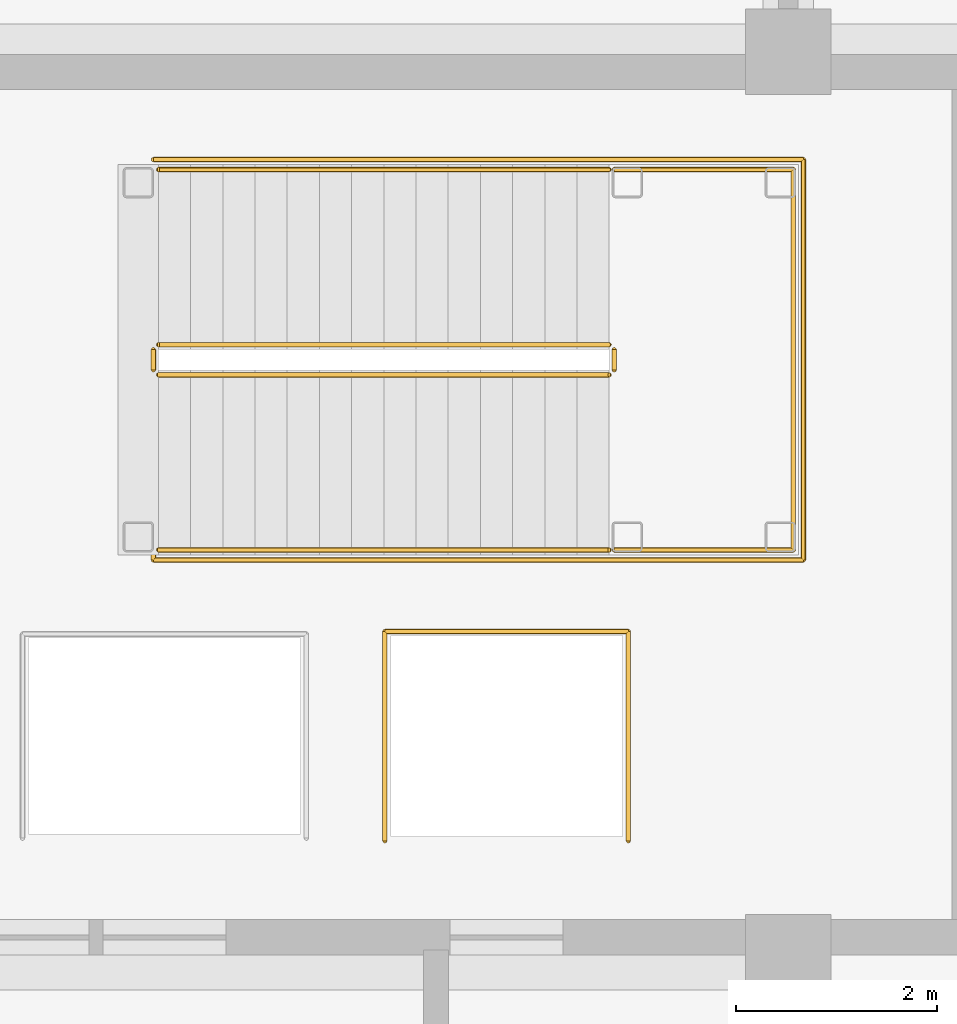
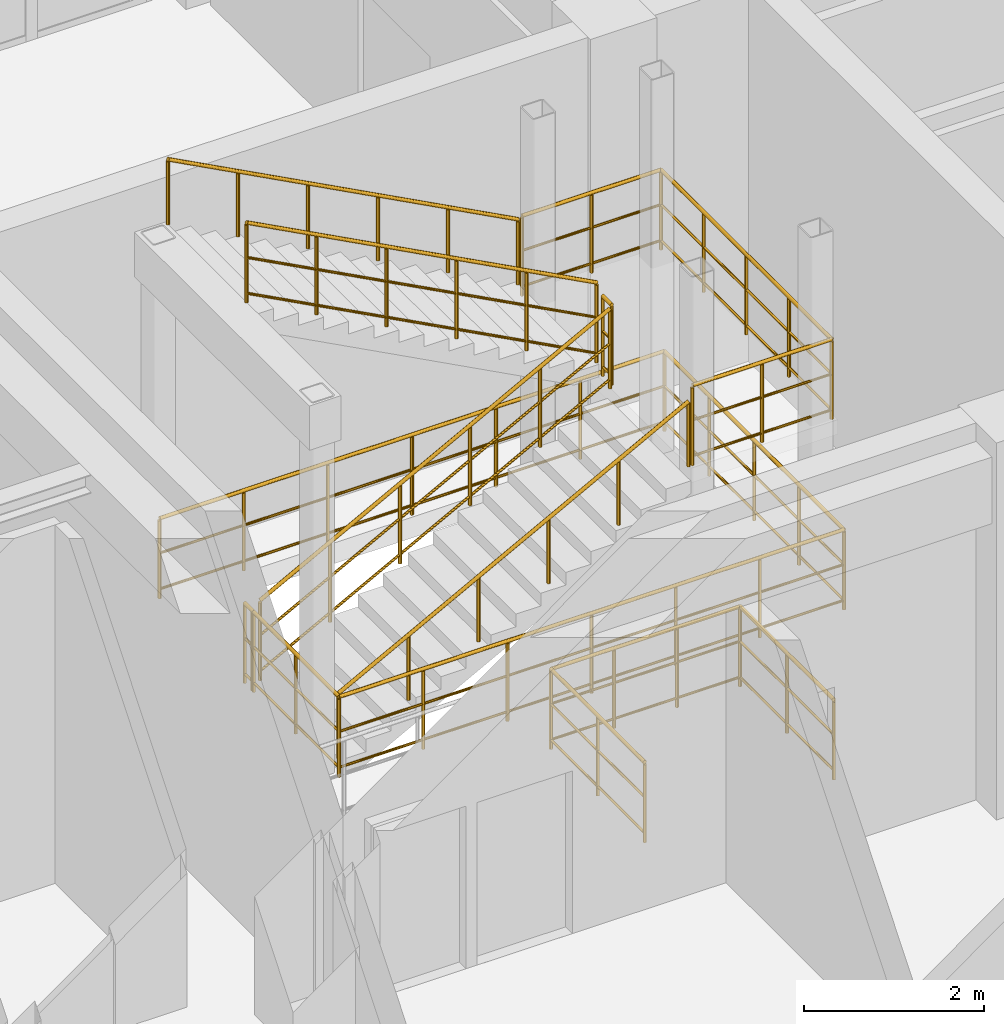
# One storey, part 123 of 128: 9 railings.
"""IFC4 building model written with IfcOpenShell, lengths in metres."""

from ifc_helpers import new_model, si_unit, direction, frame, origin, origin_2d, place, context, subcontext, project, spatial, circle, extrude, material, type_object, element, save


model = new_model("IFC4")

# Units and contexts
model_context = context("Model", 3, precision=1e-05, world=origin(), true_north=direction((0.0, 1.0)))
body_context = subcontext(model_context, "Body", "Model", "MODEL_VIEW")
ifc_project = project(units=[si_unit("LENGTHUNIT", "METRE"), si_unit("AREAUNIT", "SQUARE_METRE"), si_unit("VOLUMEUNIT", "CUBIC_METRE"), si_unit("PLANEANGLEUNIT", "RADIAN"), si_unit("MASSUNIT", "GRAM", prefix="KILO")], contexts=[model_context])

# Site, building, storey
site_placement = place(None, origin())
site = spatial("IfcSite", under=ifc_project, at=site_placement, CompositionType="ELEMENT")
building_placement = place(site_placement, origin())
building = spatial("IfcBuilding", under=site, at=building_placement, Name="Miravela Opera House", CompositionType="ELEMENT")
storey_placement = place(building_placement, origin())
storey = spatial("IfcBuildingStorey", under=building, at=storey_placement, Name="L00", CompositionType="ELEMENT", Elevation=0.0)

# Railings
ifc_material_1 = material(Name="Brushed bronze continuous stair handrail")
railing_type_1 = type_object("IfcRailingType", Name="ARC-RAIL-HAND-900", PredefinedType="HANDRAIL", material=ifc_material_1)
railing_1_placement = place(storey_placement, frame((47.739990234375, 70.050048828125, 0.169921875)))
element("IfcRailing", 1, at=railing_1_placement, inside=storey, type_object=railing_type_1, Name="L00 ST-01 stair handrail 1", PredefinedType="HANDRAIL", context=body_context, shape_type="SweptSolid", body=[
    extrude(circle(Radius=0.02392578125, at=origin_2d()), frame((0.0, 0.0, 0.8759765625), z_axis=(0.883104503341, 0.0, 0.469176338042), x_axis=(0.0, 1.0, 0.0)), (0.0, 0.0, 1.0), 5.072998046875),
    extrude(circle(Radius=0.02099609375, at=origin_2d()), origin(), (0.0, 0.0, 1.0), 0.851806640625),
    extrude(circle(Radius=0.02099609375, at=origin_2d()), frame((0.89599609375, 0.0, 0.47607421875)), (0.0, 0.0, 1.0), 0.851806640625),
    extrude(circle(Radius=0.02099609375, at=origin_2d()), frame((1.7919921875, 0.0, 0.9521484375)), (0.0, 0.0, 1.0), 0.851806640625),
    extrude(circle(Radius=0.02099609375, at=origin_2d()), frame((2.68798828125, 0.0, 1.427978515625)), (0.0, 0.0, 1.0), 0.851806640625),
    extrude(circle(Radius=0.02099609375, at=origin_2d()), frame((3.583984375, 0.0, 1.904052734375)), (0.0, 0.0, 1.0), 0.851806640625),
    extrude(circle(Radius=0.02099609375, at=origin_2d()), frame((4.47998046875, 0.0, 2.380126953125)), (0.0, 0.0, 1.0), 0.851806640625),
])
railing_2_placement = place(storey_placement, frame((52.219970703125, 73.830078125, 2.719970703125)))
element("IfcRailing", 2, at=railing_2_placement, inside=storey, type_object=railing_type_1, Name="L00 ST-01 stair handrail 2", PredefinedType="HANDRAIL", context=body_context, shape_type="SweptSolid", body=[
    extrude(circle(Radius=0.02392578125, at=origin_2d()), frame((0.0, 0.0, 0.8759765625), z_axis=(-0.883104503341, 0.0, 0.469176338042), x_axis=(0.0, -1.0, 0.0)), (0.0, 0.0, 1.0), 5.072998046875),
    extrude(circle(Radius=0.02099609375, at=origin_2d()), origin(), (0.0, 0.0, 1.0), 0.851806640625),
    extrude(circle(Radius=0.02099609375, at=origin_2d()), frame((-0.89599609375, 0.0, 0.47607421875)), (0.0, 0.0, 1.0), 0.851806640625),
    extrude(circle(Radius=0.02099609375, at=origin_2d()), frame((-1.7919921875, 0.0, 0.9521484375)), (0.0, 0.0, 1.0), 0.851806640625),
    extrude(circle(Radius=0.02099609375, at=origin_2d()), frame((-2.68798828125, 0.0, 1.427978515625)), (0.0, 0.0, 1.0), 0.851806640625),
    extrude(circle(Radius=0.02099609375, at=origin_2d()), frame((-3.583984375, 0.0, 1.904052734375)), (0.0, 0.0, 1.0), 0.851806640625),
    extrude(circle(Radius=0.02099609375, at=origin_2d()), frame((-4.47998046875, 0.0, 2.380126953125)), (0.0, 0.0, 1.0), 0.851806640625),
])
ifc_material_2 = material(Name="Painted wrought-iron stair guardrail")
railing_type_2 = type_object("IfcRailingType", Name="ARC-RAIL-STAIR-GUARD", PredefinedType="GUARDRAIL", material=ifc_material_2)
railing_3_placement = place(storey_placement, frame((47.739990234375, 71.7900390625, 0.169921875)))
element("IfcRailing", 3, at=railing_3_placement, inside=storey, type_object=railing_type_2, Name="L00 ST-01 stair guard 1", PredefinedType="GUARDRAIL", context=body_context, shape_type="SweptSolid", body=[
    extrude(circle(Radius=0.02392578125, at=origin_2d()), frame((0.0, 0.0, 1.076171875), z_axis=(0.883104503341, 0.0, 0.469176338042), x_axis=(0.0, 1.0, 0.0)), (0.0, 0.0, 1.0), 5.072998046875),
    extrude(circle(Radius=0.01611328125, at=origin_2d()), frame((0.0, 0.0, 0.60498046875), z_axis=(0.883104503341, 0.0, 0.469176338042), x_axis=(0.0, 1.0, 0.0)), (0.0, 0.0, 1.0), 5.072998046875),
    extrude(circle(Radius=0.01611328125, at=origin_2d()), frame((0.0, 0.0, 0.1201171875), z_axis=(0.883104503341, 0.0, 0.469176338042), x_axis=(0.0, 1.0, 0.0)), (0.0, 0.0, 1.0), 5.072998046875),
    extrude(circle(Radius=0.02099609375, at=origin_2d()), origin(), (0.0, 0.0, 1.0), 1.052001953125),
    extrude(circle(Radius=0.02099609375, at=origin_2d()), frame((0.89599609375, 0.0, 0.47607421875)), (0.0, 0.0, 1.0), 1.052001953125),
    extrude(circle(Radius=0.02099609375, at=origin_2d()), frame((1.7919921875, 0.0, 0.9521484375)), (0.0, 0.0, 1.0), 1.052001953125),
    extrude(circle(Radius=0.02099609375, at=origin_2d()), frame((2.68798828125, 0.0, 1.427978515625)), (0.0, 0.0, 1.0), 1.052001953125),
    extrude(circle(Radius=0.02099609375, at=origin_2d()), frame((3.583984375, 0.0, 1.904052734375)), (0.0, 0.0, 1.0), 1.052001953125),
    extrude(circle(Radius=0.02099609375, at=origin_2d()), frame((4.47998046875, 0.0, 2.380126953125)), (0.0, 0.0, 1.0), 1.052001953125),
])
railing_4_placement = place(storey_placement, frame((52.27001953125, 71.840087890625, 2.550048828125)))
element("IfcRailing", 4, at=railing_4_placement, inside=storey, type_object=railing_type_2, Name="L00 ST-01 stair guard 2", PredefinedType="GUARDRAIL", context=body_context, shape_type="SweptSolid", body=[
    extrude(circle(Radius=0.02392578125, at=origin_2d()), frame((0.0, 0.0, 1.076171875), z_axis=(0.0, 1.0, 0.0), x_axis=(-1.0, 0.0, 0.0)), (0.0, 0.0, 1.0), 0.199951171875),
    extrude(circle(Radius=0.01611328125, at=origin_2d()), frame((0.0, 0.0, 0.60498046875), z_axis=(0.0, 1.0, 0.0), x_axis=(-1.0, 0.0, 0.0)), (0.0, 0.0, 1.0), 0.199951171875),
    extrude(circle(Radius=0.01611328125, at=origin_2d()), frame((0.0, 0.0, 0.1201171875), z_axis=(0.0, 1.0, 0.0), x_axis=(-1.0, 0.0, 0.0)), (0.0, 0.0, 1.0), 0.199951171875),
    extrude(circle(Radius=0.02099609375, at=origin_2d()), origin(), (0.0, 0.0, 1.0), 1.052001953125),
    extrude(circle(Radius=0.02099609375, at=origin_2d()), frame((0.0, 0.199951171875, 0.0)), (0.0, 0.0, 1.0), 1.052001953125),
])
railing_5_placement = place(storey_placement, frame((52.219970703125, 72.090087890625, 2.719970703125)))
element("IfcRailing", 5, at=railing_5_placement, inside=storey, type_object=railing_type_2, Name="L00 ST-01 stair guard 3", PredefinedType="GUARDRAIL", context=body_context, shape_type="SweptSolid", body=[
    extrude(circle(Radius=0.02392578125, at=origin_2d()), frame((0.0, 0.0, 1.076171875), z_axis=(-0.883104503341, 0.0, 0.469176338042), x_axis=(0.0, -1.0, 0.0)), (0.0, 0.0, 1.0), 5.072998046875),
    extrude(circle(Radius=0.01611328125, at=origin_2d()), frame((0.0, 0.0, 0.60498046875), z_axis=(-0.883104503341, 0.0, 0.469176338042), x_axis=(0.0, -1.0, 0.0)), (0.0, 0.0, 1.0), 5.072998046875),
    extrude(circle(Radius=0.01611328125, at=origin_2d()), frame((0.0, 0.0, 0.1201171875), z_axis=(-0.883104503341, 0.0, 0.469176338042), x_axis=(0.0, -1.0, 0.0)), (0.0, 0.0, 1.0), 5.072998046875),
    extrude(circle(Radius=0.02099609375, at=origin_2d()), origin(), (0.0, 0.0, 1.0), 1.052001953125),
    extrude(circle(Radius=0.02099609375, at=origin_2d()), frame((-0.89599609375, 0.0, 0.47607421875)), (0.0, 0.0, 1.0), 1.052001953125),
    extrude(circle(Radius=0.02099609375, at=origin_2d()), frame((-1.7919921875, 0.0, 0.9521484375)), (0.0, 0.0, 1.0), 1.052001953125),
    extrude(circle(Radius=0.02099609375, at=origin_2d()), frame((-2.68798828125, 0.0, 1.427978515625)), (0.0, 0.0, 1.0), 1.052001953125),
    extrude(circle(Radius=0.02099609375, at=origin_2d()), frame((-3.583984375, 0.0, 1.904052734375)), (0.0, 0.0, 1.0), 1.052001953125),
    extrude(circle(Radius=0.02099609375, at=origin_2d()), frame((-4.47998046875, 0.0, 2.380126953125)), (0.0, 0.0, 1.0), 1.052001953125),
])
railing_6_placement = place(storey_placement, frame((47.68994140625, 71.840087890625, 0.0)))
element("IfcRailing", 6, at=railing_6_placement, inside=storey, type_object=railing_type_2, Name="L00 ST-01 stair guard 4", PredefinedType="GUARDRAIL", context=body_context, shape_type="SweptSolid", body=[
    extrude(circle(Radius=0.02392578125, at=origin_2d()), frame((0.0, 0.0, 1.076171875), z_axis=(0.0, 1.0, 0.0), x_axis=(-1.0, 0.0, 0.0)), (0.0, 0.0, 1.0), 0.199951171875),
    extrude(circle(Radius=0.01611328125, at=origin_2d()), frame((0.0, 0.0, 0.60498046875), z_axis=(0.0, 1.0, 0.0), x_axis=(-1.0, 0.0, 0.0)), (0.0, 0.0, 1.0), 0.199951171875),
    extrude(circle(Radius=0.01611328125, at=origin_2d()), frame((0.0, 0.0, 0.1201171875), z_axis=(0.0, 1.0, 0.0), x_axis=(-1.0, 0.0, 0.0)), (0.0, 0.0, 1.0), 0.199951171875),
    extrude(circle(Radius=0.02099609375, at=origin_2d()), origin(), (0.0, 0.0, 1.0), 1.052001953125),
    extrude(circle(Radius=0.02099609375, at=origin_2d()), frame((0.0, 0.199951171875, 0.0)), (0.0, 0.0, 1.0), 1.052001953125),
])
railing_7_placement = place(storey_placement, frame((52.27001953125, 70.050048828125, 2.550048828125)))
element("IfcRailing", 7, at=railing_7_placement, inside=storey, type_object=railing_type_2, Name="Stair ST-01 Half-Landing Perimeter Guard (L00) 0002", PredefinedType="GUARDRAIL", context=body_context, shape_type="SweptSolid", body=[
    extrude(circle(Radius=0.02392578125, at=origin_2d()), frame((0.0, 0.0, 1.076171875), z_axis=(1.0, 0.0, 0.0), x_axis=(0.0, 1.0, 0.0)), (0.0, 0.0, 1.0), 1.780029296875),
    extrude(circle(Radius=0.01611328125, at=origin_2d()), frame((0.0, 0.0, 0.60498046875), z_axis=(1.0, 0.0, 0.0), x_axis=(0.0, 1.0, 0.0)), (0.0, 0.0, 1.0), 1.780029296875),
    extrude(circle(Radius=0.01611328125, at=origin_2d()), frame((0.0, 0.0, 0.1201171875), z_axis=(1.0, 0.0, 0.0), x_axis=(0.0, 1.0, 0.0)), (0.0, 0.0, 1.0), 1.780029296875),
    extrude(circle(Radius=0.02392578125, at=origin_2d()), frame((1.780029296875, 0.0, 1.076171875), z_axis=(0.0, 1.0, 0.0), x_axis=(-1.0, 0.0, 0.0)), (0.0, 0.0, 1.0), 3.780029296875),
    extrude(circle(Radius=0.01611328125, at=origin_2d()), frame((1.780029296875, 0.0, 0.60498046875), z_axis=(0.0, 1.0, 0.0), x_axis=(-1.0, 0.0, 0.0)), (0.0, 0.0, 1.0), 3.780029296875),
    extrude(circle(Radius=0.01611328125, at=origin_2d()), frame((1.780029296875, 0.0, 0.1201171875), z_axis=(0.0, 1.0, 0.0), x_axis=(-1.0, 0.0, 0.0)), (0.0, 0.0, 1.0), 3.780029296875),
    extrude(circle(Radius=0.02392578125, at=origin_2d()), frame((1.780029296875, 3.780029296875, 1.076171875), z_axis=(-1.0, 0.0, 0.0), x_axis=(0.0, -1.0, 0.0)), (0.0, 0.0, 1.0), 1.780029296875),
    extrude(circle(Radius=0.01611328125, at=origin_2d()), frame((1.780029296875, 3.780029296875, 0.60498046875), z_axis=(-1.0, 0.0, 0.0), x_axis=(0.0, -1.0, 0.0)), (0.0, 0.0, 1.0), 1.780029296875),
    extrude(circle(Radius=0.01611328125, at=origin_2d()), frame((1.780029296875, 3.780029296875, 0.1201171875), z_axis=(-1.0, 0.0, 0.0), x_axis=(0.0, -1.0, 0.0)), (0.0, 0.0, 1.0), 1.780029296875),
    extrude(circle(Radius=0.02099609375, at=origin_2d()), origin(), (0.0, 0.0, 1.0), 1.052001953125),
    extrude(circle(Radius=0.02099609375, at=origin_2d()), frame((0.89013671875, 0.0, 0.0)), (0.0, 0.0, 1.0), 1.052001953125),
    extrude(circle(Radius=0.02099609375, at=origin_2d()), frame((1.780029296875, 0.0, 0.0)), (0.0, 0.0, 1.0), 1.052001953125),
    extrude(circle(Radius=0.02099609375, at=origin_2d()), frame((1.780029296875, 0.945068359375, 0.0)), (0.0, 0.0, 1.0), 1.052001953125),
    extrude(circle(Radius=0.02099609375, at=origin_2d()), frame((1.780029296875, 1.89013671875, 0.0)), (0.0, 0.0, 1.0), 1.052001953125),
    extrude(circle(Radius=0.02099609375, at=origin_2d()), frame((1.780029296875, 2.8349609375, 0.0)), (0.0, 0.0, 1.0), 1.052001953125),
    extrude(circle(Radius=0.02099609375, at=origin_2d()), frame((1.780029296875, 3.780029296875, 0.0)), (0.0, 0.0, 1.0), 1.052001953125),
    extrude(circle(Radius=0.02099609375, at=origin_2d()), frame((0.89013671875, 3.780029296875, 0.0)), (0.0, 0.0, 1.0), 1.052001953125),
    extrude(circle(Radius=0.02099609375, at=origin_2d()), frame((0.0, 3.780029296875, 0.0)), (0.0, 0.0, 1.0), 1.052001953125),
])
railing_8_placement = place(storey_placement, frame((47.68994140625, 71.8701171875, 0.0)))
element("IfcRailing", 8, at=railing_8_placement, inside=storey, type_object=railing_type_2, Name="Stair ST-01 Well Slab Opening Guard (L00) 0007", PredefinedType="GUARDRAIL", context=body_context, shape_type="SweptSolid", body=[
    extrude(circle(Radius=0.02392578125, at=origin_2d()), frame((0.0, 0.0, 1.076171875), z_axis=(0.0, -1.0, 0.0), x_axis=(1.0, 0.0, 0.0)), (0.0, 0.0, 1.0), 1.920166015625),
    extrude(circle(Radius=0.01611328125, at=origin_2d()), frame((0.0, 0.0, 0.60498046875), z_axis=(0.0, -1.0, 0.0), x_axis=(1.0, 0.0, 0.0)), (0.0, 0.0, 1.0), 1.920166015625),
    extrude(circle(Radius=0.01611328125, at=origin_2d()), frame((0.0, 0.0, 0.1201171875), z_axis=(0.0, -1.0, 0.0), x_axis=(1.0, 0.0, 0.0)), (0.0, 0.0, 1.0), 1.920166015625),
    extrude(circle(Radius=0.02392578125, at=origin_2d()), frame((0.0, -1.920166015625, 1.076171875), z_axis=(1.0, 0.0, 0.0), x_axis=(0.0, 1.0, 0.0)), (0.0, 0.0, 1.0), 6.4599609375),
    extrude(circle(Radius=0.01611328125, at=origin_2d()), frame((0.0, -1.920166015625, 0.60498046875), z_axis=(1.0, 0.0, 0.0), x_axis=(0.0, 1.0, 0.0)), (0.0, 0.0, 1.0), 6.4599609375),
    extrude(circle(Radius=0.01611328125, at=origin_2d()), frame((0.0, -1.920166015625, 0.1201171875), z_axis=(1.0, 0.0, 0.0), x_axis=(0.0, 1.0, 0.0)), (0.0, 0.0, 1.0), 6.4599609375),
    extrude(circle(Radius=0.02392578125, at=origin_2d()), frame((6.4599609375, -1.920166015625, 1.076171875), z_axis=(0.0, 1.0, 0.0), x_axis=(-1.0, 0.0, 0.0)), (0.0, 0.0, 1.0), 3.97998046875),
    extrude(circle(Radius=0.01611328125, at=origin_2d()), frame((6.4599609375, -1.920166015625, 0.60498046875), z_axis=(0.0, 1.0, 0.0), x_axis=(-1.0, 0.0, 0.0)), (0.0, 0.0, 1.0), 3.97998046875),
    extrude(circle(Radius=0.01611328125, at=origin_2d()), frame((6.4599609375, -1.920166015625, 0.1201171875), z_axis=(0.0, 1.0, 0.0), x_axis=(-1.0, 0.0, 0.0)), (0.0, 0.0, 1.0), 3.97998046875),
    extrude(circle(Radius=0.02392578125, at=origin_2d()), frame((6.4599609375, 2.059814453125, 1.076171875), z_axis=(-1.0, 0.0, 0.0), x_axis=(0.0, -1.0, 0.0)), (0.0, 0.0, 1.0), 6.4599609375),
    extrude(circle(Radius=0.01611328125, at=origin_2d()), frame((6.4599609375, 2.059814453125, 0.60498046875), z_axis=(-1.0, 0.0, 0.0), x_axis=(0.0, -1.0, 0.0)), (0.0, 0.0, 1.0), 6.4599609375),
    extrude(circle(Radius=0.01611328125, at=origin_2d()), frame((6.4599609375, 2.059814453125, 0.1201171875), z_axis=(-1.0, 0.0, 0.0), x_axis=(0.0, -1.0, 0.0)), (0.0, 0.0, 1.0), 6.4599609375),
    extrude(circle(Radius=0.02099609375, at=origin_2d()), origin(), (0.0, 0.0, 1.0), 1.052001953125),
    extrude(circle(Radius=0.02099609375, at=origin_2d()), frame((0.0, -0.9599609375, 0.0)), (0.0, 0.0, 1.0), 1.052001953125),
    extrude(circle(Radius=0.02099609375, at=origin_2d()), frame((0.0, -1.920166015625, 0.0)), (0.0, 0.0, 1.0), 1.052001953125),
    extrude(circle(Radius=0.02099609375, at=origin_2d()), frame((1.07666015625, -1.920166015625, 0.0)), (0.0, 0.0, 1.0), 1.052001953125),
    extrude(circle(Radius=0.02099609375, at=origin_2d()), frame((2.1533203125, -1.920166015625, 0.0)), (0.0, 0.0, 1.0), 1.052001953125),
    extrude(circle(Radius=0.02099609375, at=origin_2d()), frame((3.22998046875, -1.920166015625, 0.0)), (0.0, 0.0, 1.0), 1.052001953125),
    extrude(circle(Radius=0.02099609375, at=origin_2d()), frame((4.306640625, -1.920166015625, 0.0)), (0.0, 0.0, 1.0), 1.052001953125),
    extrude(circle(Radius=0.02099609375, at=origin_2d()), frame((5.38330078125, -1.920166015625, 0.0)), (0.0, 0.0, 1.0), 1.052001953125),
    extrude(circle(Radius=0.02099609375, at=origin_2d()), frame((6.4599609375, -1.920166015625, 0.0)), (0.0, 0.0, 1.0), 1.052001953125),
    extrude(circle(Radius=0.02099609375, at=origin_2d()), frame((6.4599609375, -0.92529296875, 0.0)), (0.0, 0.0, 1.0), 1.052001953125),
    extrude(circle(Radius=0.02099609375, at=origin_2d()), frame((6.4599609375, 0.06982421875, 0.0)), (0.0, 0.0, 1.0), 1.052001953125),
    extrude(circle(Radius=0.02099609375, at=origin_2d()), frame((6.4599609375, 1.06494140625, 0.0)), (0.0, 0.0, 1.0), 1.052001953125),
    extrude(circle(Radius=0.02099609375, at=origin_2d()), frame((6.4599609375, 2.059814453125, 0.0)), (0.0, 0.0, 1.0), 1.052001953125),
    extrude(circle(Radius=0.02099609375, at=origin_2d()), frame((5.38330078125, 2.059814453125, 0.0)), (0.0, 0.0, 1.0), 1.052001953125),
    extrude(circle(Radius=0.02099609375, at=origin_2d()), frame((4.306640625, 2.059814453125, 0.0)), (0.0, 0.0, 1.0), 1.052001953125),
    extrude(circle(Radius=0.02099609375, at=origin_2d()), frame((3.22998046875, 2.059814453125, 0.0)), (0.0, 0.0, 1.0), 1.052001953125),
    extrude(circle(Radius=0.02099609375, at=origin_2d()), frame((2.1533203125, 2.059814453125, 0.0)), (0.0, 0.0, 1.0), 1.052001953125),
    extrude(circle(Radius=0.02099609375, at=origin_2d()), frame((1.07666015625, 2.059814453125, 0.0)), (0.0, 0.0, 1.0), 1.052001953125),
    extrude(circle(Radius=0.02099609375, at=origin_2d()), frame((0.0, 2.059814453125, 0.0)), (0.0, 0.0, 1.0), 1.052001953125),
])
railing_9_placement = place(storey_placement, frame((49.989990234375, 67.159912109375, 0.0)))
element("IfcRailing", 9, at=railing_9_placement, inside=storey, type_object=railing_type_2, Name="Lift PL-01 Hoistway Slab Opening Guard (L00) 0099", PredefinedType="GUARDRAIL", context=body_context, shape_type="SweptSolid", body=[
    extrude(circle(Radius=0.02392578125, at=origin_2d()), frame((0.0, 0.0, 1.076171875), z_axis=(0.0, 1.0, 0.0), x_axis=(-1.0, 0.0, 0.0)), (0.0, 0.0, 1.0), 2.080078125),
    extrude(circle(Radius=0.01611328125, at=origin_2d()), frame((0.0, 0.0, 0.60498046875), z_axis=(0.0, 1.0, 0.0), x_axis=(-1.0, 0.0, 0.0)), (0.0, 0.0, 1.0), 2.080078125),
    extrude(circle(Radius=0.01611328125, at=origin_2d()), frame((0.0, 0.0, 0.1201171875), z_axis=(0.0, 1.0, 0.0), x_axis=(-1.0, 0.0, 0.0)), (0.0, 0.0, 1.0), 2.080078125),
    extrude(circle(Radius=0.02392578125, at=origin_2d()), frame((0.0, 2.080078125, 1.076171875), z_axis=(1.0, 0.0, 0.0), x_axis=(0.0, 1.0, 0.0)), (0.0, 0.0, 1.0), 2.419921875),
    extrude(circle(Radius=0.01611328125, at=origin_2d()), frame((0.0, 2.080078125, 0.60498046875), z_axis=(1.0, 0.0, 0.0), x_axis=(0.0, 1.0, 0.0)), (0.0, 0.0, 1.0), 2.419921875),
    extrude(circle(Radius=0.01611328125, at=origin_2d()), frame((0.0, 2.080078125, 0.1201171875), z_axis=(1.0, 0.0, 0.0), x_axis=(0.0, 1.0, 0.0)), (0.0, 0.0, 1.0), 2.419921875),
    extrude(circle(Radius=0.02392578125, at=origin_2d()), frame((2.419921875, 2.080078125, 1.076171875), z_axis=(0.0, -1.0, 0.0), x_axis=(1.0, 0.0, 0.0)), (0.0, 0.0, 1.0), 2.080078125),
    extrude(circle(Radius=0.01611328125, at=origin_2d()), frame((2.419921875, 2.080078125, 0.60498046875), z_axis=(0.0, -1.0, 0.0), x_axis=(1.0, 0.0, 0.0)), (0.0, 0.0, 1.0), 2.080078125),
    extrude(circle(Radius=0.01611328125, at=origin_2d()), frame((2.419921875, 2.080078125, 0.1201171875), z_axis=(0.0, -1.0, 0.0), x_axis=(1.0, 0.0, 0.0)), (0.0, 0.0, 1.0), 2.080078125),
    extrude(circle(Radius=0.02099609375, at=origin_2d()), origin(), (0.0, 0.0, 1.0), 1.052001953125),
    extrude(circle(Radius=0.02099609375, at=origin_2d()), frame((0.0, 1.0400390625, 0.0)), (0.0, 0.0, 1.0), 1.052001953125),
    extrude(circle(Radius=0.02099609375, at=origin_2d()), frame((0.0, 2.080078125, 0.0)), (0.0, 0.0, 1.0), 1.052001953125),
    extrude(circle(Radius=0.02099609375, at=origin_2d()), frame((0.806640625, 2.080078125, 0.0)), (0.0, 0.0, 1.0), 1.052001953125),
    extrude(circle(Radius=0.02099609375, at=origin_2d()), frame((1.61328125, 2.080078125, 0.0)), (0.0, 0.0, 1.0), 1.052001953125),
    extrude(circle(Radius=0.02099609375, at=origin_2d()), frame((2.419921875, 2.080078125, 0.0)), (0.0, 0.0, 1.0), 1.052001953125),
    extrude(circle(Radius=0.02099609375, at=origin_2d()), frame((2.419921875, 1.0400390625, 0.0)), (0.0, 0.0, 1.0), 1.052001953125),
    extrude(circle(Radius=0.02099609375, at=origin_2d()), frame((2.419921875, 0.0, 0.0)), (0.0, 0.0, 1.0), 1.052001953125),
])

save(model, "model.ifc")
